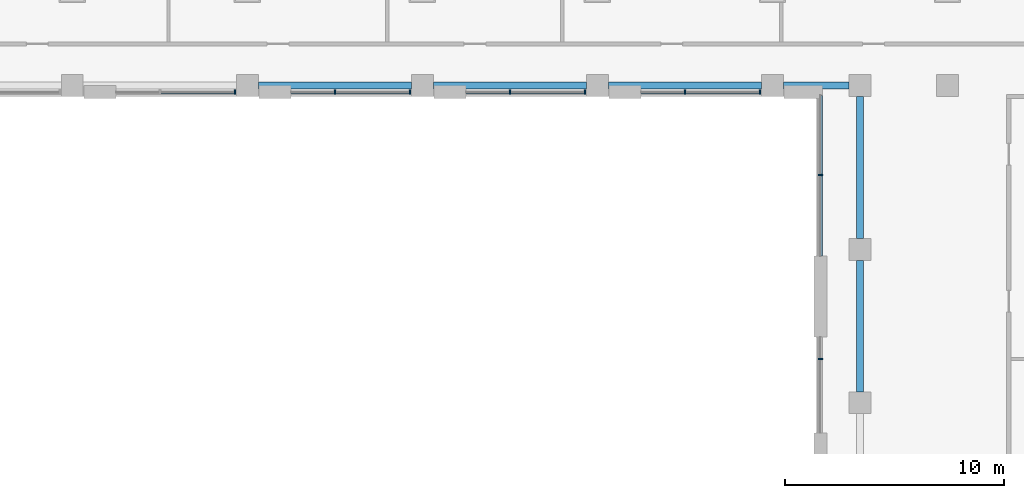
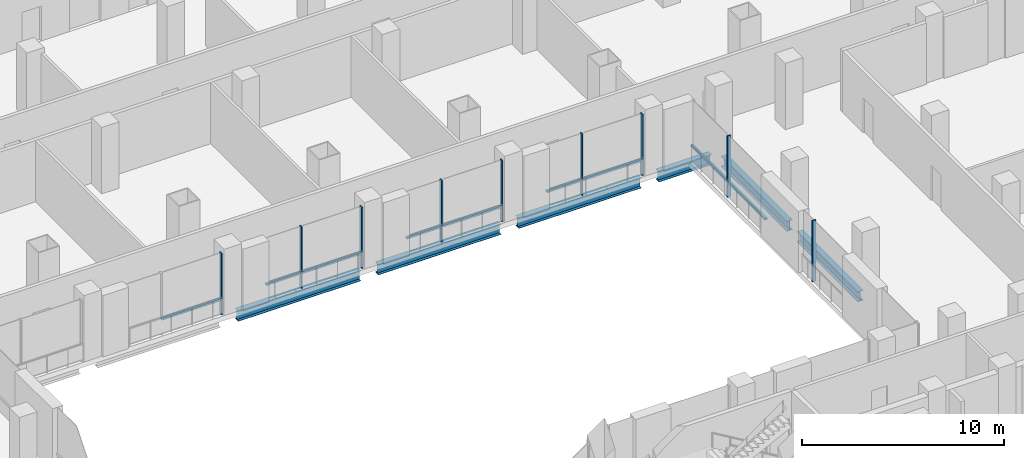
# One storey, part 4 of 25: 18 members, 6 beams, 6 elements without a shape of their own.
"""IFC4 building model written with IfcOpenShell, lengths in metres."""

from ifc_helpers import new_model, si_unit, direction, frame, origin, origin_2d, place, context, subcontext, project, spatial, rectangle, i_section, extrude, material, material_profile, profile_set, type_object, element, aggregate, save


model = new_model("IFC4")

# Units and contexts
model_context = context("Model", 3, precision=1e-05, world=origin(), true_north=direction((0.0, 1.0)))
body_context = subcontext(model_context, "Body", "Model", "MODEL_VIEW")
ifc_project = project(units=[si_unit("LENGTHUNIT", "METRE"), si_unit("AREAUNIT", "SQUARE_METRE"), si_unit("VOLUMEUNIT", "CUBIC_METRE"), si_unit("PLANEANGLEUNIT", "RADIAN"), si_unit("MASSUNIT", "GRAM", prefix="KILO")], contexts=[model_context])

# Site, building, storey
site_placement = place(None, origin())
site = spatial("IfcSite", under=ifc_project, at=site_placement, CompositionType="ELEMENT")
building_placement = place(site_placement, origin())
building = spatial("IfcBuilding", under=site, at=building_placement, Name="Vidyagriha Tower", CompositionType="ELEMENT")
storey_placement = place(building_placement, frame((0.0, 0.0, 10.0)))
storey = spatial("IfcBuildingStorey", under=building, at=storey_placement, Name="L02", CompositionType="ELEMENT", Elevation=10.0)

# Beams
ifc_material_1 = material(Name="Steel ASTM A992 Grade 50", Category="steel")
ifc_material_profile_1 = material_profile(ifc_material_1, i_section(OverallWidth=0.32373046875, OverallDepth=0.612060546875, WebThickness=0.0126953125, FlangeThickness=0.01904296875, at=origin_2d()), Name="W24X104")
ifc_profile_set_1 = profile_set([ifc_material_profile_1], Name="Steel ASTM A992 Grade 50")
beam_type = type_object("IfcBeamType", Name="Atrium edge beam W24X104", PredefinedType="BEAM", material=ifc_profile_set_1)
for number, where, z_axis, x_axis, name in (
    (1, (-5.5, -21.5, -0.60595703125), (1.0, 0.0, 0.0), (0.0, 1.0, 0.0), "st-beam-L02-AT09"),
    (2, (2.5, -21.5, -0.60595703125), (1.0, 0.0, 0.0), (0.0, 1.0, 0.0), "st-beam-L02-AT10"),
    (3, (10.5, -21.5, -0.60595703125), (1.0, 0.0, 0.0), (0.0, 1.0, 0.0), "st-beam-L02-AT11"),
):
    element("IfcBeam", number, at=place(storey_placement, frame(where, z_axis=z_axis, x_axis=x_axis)), inside=storey, type_object=beam_type, Name=name, PredefinedType="BEAM", context=body_context, shape_type="SweptSolid", body=[
        extrude(i_section(OverallWidth=0.32373046875, OverallDepth=0.612060546875, WebThickness=0.0126953125, FlangeThickness=0.01904296875, at=origin_2d()), origin(), (0.0, 0.0, 1.0), 7.0),
    ])
beam_1_placement = place(storey_placement, frame((18.5, -21.5, -0.60595703125), z_axis=(1.0, 0.0, 0.0), x_axis=(0.0, 1.0, 0.0)))
element("IfcBeam", 4, at=beam_1_placement, inside=storey, type_object=beam_type, Name="st-beam-L02-AT12", PredefinedType="BEAM", context=body_context, shape_type="SweptSolid", body=[
    extrude(i_section(OverallWidth=0.32373046875, OverallDepth=0.612060546875, WebThickness=0.0126953125, FlangeThickness=0.01904296875, at=origin_2d()), origin(), (0.0, 0.0, 1.0), 3.0),
])
beam_2_placement = place(storey_placement, frame((22.0, -35.5, -0.60595703125), z_axis=(0.0, 1.0, 0.0), x_axis=(-1.0, 0.0, 0.0)))
element("IfcBeam", 5, at=beam_2_placement, inside=storey, type_object=beam_type, Name="st-beam-L02-AT17", PredefinedType="BEAM", context=body_context, shape_type="SweptSolid", body=[
    extrude(i_section(OverallWidth=0.32373046875, OverallDepth=0.612060546875, WebThickness=0.0126953125, FlangeThickness=0.01904296875, at=origin_2d()), origin(), (0.0, 0.0, 1.0), 6.0),
])
beam_3_placement = place(storey_placement, frame((22.0, -28.5, -0.60595703125), z_axis=(0.0, 1.0, 0.0), x_axis=(-1.0, 0.0, 0.0)))
element("IfcBeam", 6, at=beam_3_placement, inside=storey, type_object=beam_type, Name="st-beam-L02-AT18", PredefinedType="BEAM", context=body_context, shape_type="SweptSolid", body=[
    extrude(i_section(OverallWidth=0.32373046875, OverallDepth=0.612060546875, WebThickness=0.0126953125, FlangeThickness=0.01904296875, at=origin_2d()), origin(), (0.0, 0.0, 1.0), 6.5),
])

# Curtain wall, member
ifc_material_2 = material(Name="Aluminium and glass curtain wall", Category="aluminium")
curtain_wall_type = type_object("IfcCurtainWallType", Name="Atrium screen curtain wall", PredefinedType="USERDEFINED", material=ifc_material_2)
curtain_wall_1_placement = place(storey_placement, origin())
curtain_wall_1 = element("IfcCurtainWall", 7, at=curtain_wall_1_placement, inside=storey, type_object=curtain_wall_type, Name="CW6 atrium screen", ObjectType="UNITISED", PredefinedType="USERDEFINED")
ifc_material_3 = material(Name="Aluminium black anodised", Category="aluminium")
ifc_material_profile_2 = material_profile(ifc_material_3, rectangle(XDim=0.199951171875, YDim=0.070068359375, at=origin_2d()), Name="Mullion 70x200 black aluminium")
ifc_profile_set_2 = profile_set([ifc_material_profile_2], Name="Aluminium black anodised")
member_type_1 = type_object("IfcMemberType", Name="Mullion 70x200 black aluminium", PredefinedType="MULLION", material=ifc_profile_set_2)
member_1_placement = place(storey_placement, frame((-6.56494140625, -21.800048828125, 0.0), z_axis=(0.0, 0.0, 1.0), x_axis=(0.0, 1.0, 0.0)))
member_1 = element("IfcMember", 8, at=member_1_placement, type_object=member_type_1, Name="CW6 mullion 3", PredefinedType="MULLION", context=body_context, shape_type="SweptSolid", body=[
    extrude(rectangle(XDim=0.199951171875, YDim=0.070068359375, at=origin_2d()), origin(), (0.0, 0.0, 1.0), 3.699951171875),
])

# Curtain wall, members
curtain_wall_2_placement = place(storey_placement, origin())
curtain_wall_2 = element("IfcCurtainWall", 9, at=curtain_wall_2_placement, inside=storey, type_object=curtain_wall_type, Name="CW6 atrium screen", ObjectType="UNITISED", PredefinedType="USERDEFINED")
member_2_placement = place(storey_placement, frame((-2.0, -21.800048828125, 0.0), z_axis=(0.0, 0.0, 1.0), x_axis=(0.0, 1.0, 0.0)))
member_2 = element("IfcMember", 10, at=member_2_placement, type_object=member_type_1, Name="CW6 mullion 2", PredefinedType="MULLION", context=body_context, shape_type="SweptSolid", body=[
    extrude(rectangle(XDim=0.199951171875, YDim=0.070068359375, at=origin_2d()), origin(), (0.0, 0.0, 1.0), 3.699951171875),
])
member_3_placement = place(storey_placement, frame((1.43505859375, -21.800048828125, 0.0), z_axis=(0.0, 0.0, 1.0), x_axis=(0.0, 1.0, 0.0)))
member_3 = element("IfcMember", 11, at=member_3_placement, type_object=member_type_1, Name="CW6 mullion 3", PredefinedType="MULLION", context=body_context, shape_type="SweptSolid", body=[
    extrude(rectangle(XDim=0.199951171875, YDim=0.070068359375, at=origin_2d()), origin(), (0.0, 0.0, 1.0), 3.699951171875),
])

curtain_wall_3_placement = place(storey_placement, origin())
curtain_wall_3 = element("IfcCurtainWall", 12, at=curtain_wall_3_placement, inside=storey, type_object=curtain_wall_type, Name="CW6 atrium screen", ObjectType="UNITISED", PredefinedType="USERDEFINED")
member_4_placement = place(storey_placement, frame((6.0, -21.800048828125, 0.0), z_axis=(0.0, 0.0, 1.0), x_axis=(0.0, 1.0, 0.0)))
member_4 = element("IfcMember", 13, at=member_4_placement, type_object=member_type_1, Name="CW6 mullion 2", PredefinedType="MULLION", context=body_context, shape_type="SweptSolid", body=[
    extrude(rectangle(XDim=0.199951171875, YDim=0.070068359375, at=origin_2d()), origin(), (0.0, 0.0, 1.0), 3.699951171875),
])
member_5_placement = place(storey_placement, frame((9.43505859375, -21.800048828125, 0.0), z_axis=(0.0, 0.0, 1.0), x_axis=(0.0, 1.0, 0.0)))
member_5 = element("IfcMember", 14, at=member_5_placement, type_object=member_type_1, Name="CW6 mullion 3", PredefinedType="MULLION", context=body_context, shape_type="SweptSolid", body=[
    extrude(rectangle(XDim=0.199951171875, YDim=0.070068359375, at=origin_2d()), origin(), (0.0, 0.0, 1.0), 3.699951171875),
])

curtain_wall_4_placement = place(storey_placement, origin())
curtain_wall_4 = element("IfcCurtainWall", 15, at=curtain_wall_4_placement, inside=storey, type_object=curtain_wall_type, Name="CW6 atrium screen", ObjectType="UNITISED", PredefinedType="USERDEFINED")
member_6_placement = place(storey_placement, frame((14.0, -21.800048828125, 0.0), z_axis=(0.0, 0.0, 1.0), x_axis=(0.0, 1.0, 0.0)))
member_6 = element("IfcMember", 16, at=member_6_placement, type_object=member_type_1, Name="CW6 mullion 2", PredefinedType="MULLION", context=body_context, shape_type="SweptSolid", body=[
    extrude(rectangle(XDim=0.199951171875, YDim=0.070068359375, at=origin_2d()), origin(), (0.0, 0.0, 1.0), 3.699951171875),
])
member_7_placement = place(storey_placement, frame((17.43505859375, -21.800048828125, 0.0), z_axis=(0.0, 0.0, 1.0), x_axis=(0.0, 1.0, 0.0)))
member_7 = element("IfcMember", 17, at=member_7_placement, type_object=member_type_1, Name="CW6 mullion 3", PredefinedType="MULLION", context=body_context, shape_type="SweptSolid", body=[
    extrude(rectangle(XDim=0.199951171875, YDim=0.070068359375, at=origin_2d()), origin(), (0.0, 0.0, 1.0), 3.699951171875),
])

# Curtain wall, member
curtain_wall_5_placement = place(storey_placement, origin())
curtain_wall_5 = element("IfcCurtainWall", 18, at=curtain_wall_5_placement, inside=storey, type_object=curtain_wall_type, Name="CW6 atrium screen", ObjectType="UNITISED", PredefinedType="USERDEFINED")
member_8_placement = place(storey_placement, frame((20.199951171875, -25.586669921875, 0.0)))
member_8 = element("IfcMember", 19, at=member_8_placement, type_object=member_type_1, Name="CW6 mullion 2", PredefinedType="MULLION", context=body_context, shape_type="SweptSolid", body=[
    extrude(rectangle(XDim=0.199951171875, YDim=0.070068359375, at=origin_2d()), origin(), (0.0, 0.0, 1.0), 3.699951171875),
])

curtain_wall_6_placement = place(storey_placement, origin())
curtain_wall_6 = element("IfcCurtainWall", 20, at=curtain_wall_6_placement, inside=storey, type_object=curtain_wall_type, Name="CW6 atrium screen", ObjectType="UNITISED", PredefinedType="USERDEFINED")
member_9_placement = place(storey_placement, frame((20.199951171875, -34.0, 0.0)))
member_9 = element("IfcMember", 21, at=member_9_placement, type_object=member_type_1, Name="CW6 mullion 2", PredefinedType="MULLION", context=body_context, shape_type="SweptSolid", body=[
    extrude(rectangle(XDim=0.199951171875, YDim=0.070068359375, at=origin_2d()), origin(), (0.0, 0.0, 1.0), 3.699951171875),
])
aggregate(curtain_wall_6, [member_9])

# Member
ifc_material_4 = material(Name="Aluminium black anodised", Category="aluminium")
ifc_material_profile_3 = material_profile(ifc_material_4, rectangle(XDim=0.159912109375, YDim=0.10009765625, at=origin_2d()), Name="Transom 100x160 black aluminium")
ifc_profile_set_3 = profile_set([ifc_material_profile_3], Name="Aluminium black anodised")
member_type_2 = type_object("IfcMemberType", Name="Transom 100x160 black aluminium", PredefinedType="USERDEFINED", material=ifc_profile_set_3)
member_10_placement = place(storey_placement, frame((-9.965087890625, -21.800048828125, 0.89990234375), z_axis=(1.0, 0.0, 0.0), x_axis=(0.0, 1.0, 0.0)))
member_10 = element("IfcMember", 22, at=member_10_placement, type_object=member_type_2, Name="CW6 transom 2.1", ObjectType="TRANSOM", PredefinedType="USERDEFINED", context=body_context, shape_type="SweptSolid", body=[
    extrude(rectangle(XDim=0.159912109375, YDim=0.10009765625, at=origin_2d()), origin(), (0.0, 0.0, 1.0), 3.364990234375),
])

aggregate(curtain_wall_1, [member_1, member_10])

member_11_placement = place(storey_placement, frame((-4.0, -21.800048828125, 0.89990234375), z_axis=(1.0, 0.0, 0.0), x_axis=(0.0, 1.0, 0.0)))
member_11 = element("IfcMember", 23, at=member_11_placement, type_object=member_type_2, Name="CW6 transom 1.1", ObjectType="TRANSOM", PredefinedType="USERDEFINED", context=body_context, shape_type="SweptSolid", body=[
    extrude(rectangle(XDim=0.159912109375, YDim=0.10009765625, at=origin_2d()), origin(), (0.0, 0.0, 1.0), 1.965087890625),
])

member_12_placement = place(storey_placement, frame((-1.965087890625, -21.800048828125, 0.89990234375), z_axis=(1.0, 0.0, 0.0), x_axis=(0.0, 1.0, 0.0)))
member_12 = element("IfcMember", 24, at=member_12_placement, type_object=member_type_2, Name="CW6 transom 2.1", ObjectType="TRANSOM", PredefinedType="USERDEFINED", context=body_context, shape_type="SweptSolid", body=[
    extrude(rectangle(XDim=0.159912109375, YDim=0.10009765625, at=origin_2d()), origin(), (0.0, 0.0, 1.0), 3.364990234375),
])

aggregate(curtain_wall_2, [member_2, member_3, member_11, member_12])

member_13_placement = place(storey_placement, frame((4.0, -21.800048828125, 0.89990234375), z_axis=(1.0, 0.0, 0.0), x_axis=(0.0, 1.0, 0.0)))
member_13 = element("IfcMember", 25, at=member_13_placement, type_object=member_type_2, Name="CW6 transom 1.1", ObjectType="TRANSOM", PredefinedType="USERDEFINED", context=body_context, shape_type="SweptSolid", body=[
    extrude(rectangle(XDim=0.159912109375, YDim=0.10009765625, at=origin_2d()), origin(), (0.0, 0.0, 1.0), 1.965087890625),
])

member_14_placement = place(storey_placement, frame((6.034912109375, -21.800048828125, 0.89990234375), z_axis=(1.0, 0.0, 0.0), x_axis=(0.0, 1.0, 0.0)))
member_14 = element("IfcMember", 26, at=member_14_placement, type_object=member_type_2, Name="CW6 transom 2.1", ObjectType="TRANSOM", PredefinedType="USERDEFINED", context=body_context, shape_type="SweptSolid", body=[
    extrude(rectangle(XDim=0.159912109375, YDim=0.10009765625, at=origin_2d()), origin(), (0.0, 0.0, 1.0), 3.364990234375),
])

aggregate(curtain_wall_3, [member_4, member_5, member_13, member_14])

member_15_placement = place(storey_placement, frame((12.0, -21.800048828125, 0.89990234375), z_axis=(1.0, 0.0, 0.0), x_axis=(0.0, 1.0, 0.0)))
member_15 = element("IfcMember", 27, at=member_15_placement, type_object=member_type_2, Name="CW6 transom 1.1", ObjectType="TRANSOM", PredefinedType="USERDEFINED", context=body_context, shape_type="SweptSolid", body=[
    extrude(rectangle(XDim=0.159912109375, YDim=0.10009765625, at=origin_2d()), origin(), (0.0, 0.0, 1.0), 1.965087890625),
])

member_16_placement = place(storey_placement, frame((14.034912109375, -21.800048828125, 0.89990234375), z_axis=(1.0, 0.0, 0.0), x_axis=(0.0, 1.0, 0.0)))
member_16 = element("IfcMember", 28, at=member_16_placement, type_object=member_type_2, Name="CW6 transom 2.1", ObjectType="TRANSOM", PredefinedType="USERDEFINED", context=body_context, shape_type="SweptSolid", body=[
    extrude(rectangle(XDim=0.159912109375, YDim=0.10009765625, at=origin_2d()), origin(), (0.0, 0.0, 1.0), 3.364990234375),
])

aggregate(curtain_wall_4, [member_6, member_7, member_15, member_16])

member_17_placement = place(storey_placement, frame((20.199951171875, -21.949951171875, 0.89990234375), z_axis=(0.0, -1.0, 0.0), x_axis=(1.0, 0.0, 0.0)))
member_17 = element("IfcMember", 29, at=member_17_placement, type_object=member_type_2, Name="CW6 transom 1.1", ObjectType="TRANSOM", PredefinedType="USERDEFINED", context=body_context, shape_type="SweptSolid", body=[
    extrude(rectangle(XDim=0.159912109375, YDim=0.10009765625, at=origin_2d()), origin(), (0.0, 0.0, 1.0), 3.601806640625),
])

member_18_placement = place(storey_placement, frame((20.199951171875, -25.62158203125, 0.89990234375), z_axis=(0.0, -1.0, 0.0), x_axis=(1.0, 0.0, 0.0)))
member_18 = element("IfcMember", 30, at=member_18_placement, type_object=member_type_2, Name="CW6 transom 2.1", ObjectType="TRANSOM", PredefinedType="USERDEFINED", context=body_context, shape_type="SweptSolid", body=[
    extrude(rectangle(XDim=0.159912109375, YDim=0.10009765625, at=origin_2d()), origin(), (0.0, 0.0, 1.0), 3.671630859375),
])

aggregate(curtain_wall_5, [member_8, member_17, member_18])

save(model, "model.ifc")
